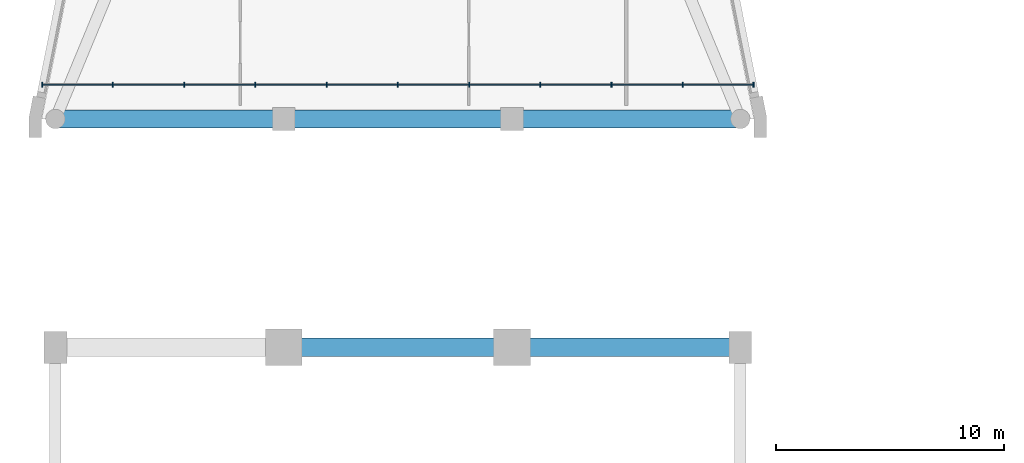
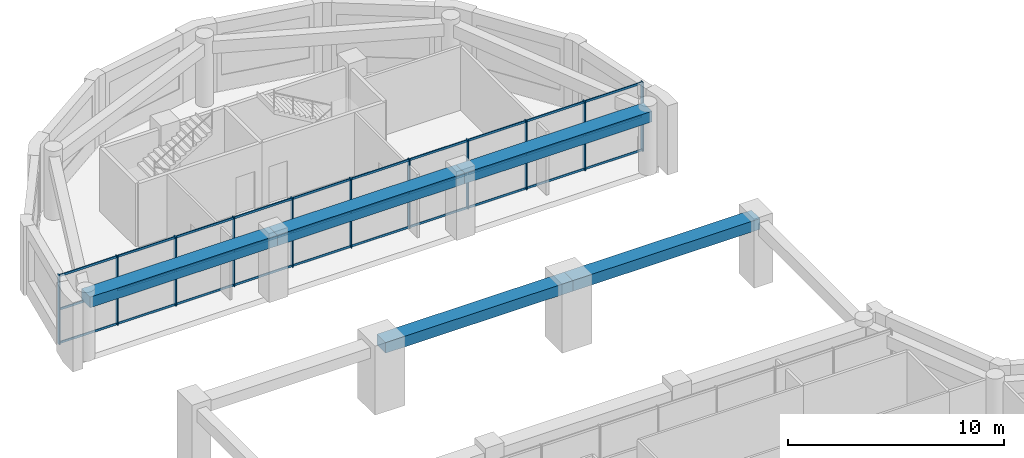
# One storey, part 3 of 11: 41 members, 5 beams, 1 element without a shape of its own.
"""IFC4 building model written with IfcOpenShell, lengths in metres."""

from ifc_helpers import new_model, si_unit, direction, frame, origin, origin_2d, place, context, subcontext, project, spatial, rectangle, extrude, material, layer, layer_set, material_profile, profile_set, type_object, element, aggregate, save


model = new_model("IFC4")

# Units and contexts
model_context = context("Model", 3, precision=1e-05, world=origin(), true_north=direction((0.0, 1.0)))
body_context = subcontext(model_context, "Body", "Model", "MODEL_VIEW")
ifc_project = project(units=[si_unit("LENGTHUNIT", "METRE"), si_unit("AREAUNIT", "SQUARE_METRE"), si_unit("VOLUMEUNIT", "CUBIC_METRE"), si_unit("PLANEANGLEUNIT", "RADIAN"), si_unit("MASSUNIT", "GRAM", prefix="KILO")], contexts=[model_context])

# Site, building, storey
site_placement = place(None, origin())
site = spatial("IfcSite", under=ifc_project, at=site_placement, CompositionType="ELEMENT")
building_placement = place(site_placement, origin())
building = spatial("IfcBuilding", under=site, at=building_placement, Name="Qaws Garden Tower", CompositionType="ELEMENT")
storey_placement = place(building_placement, frame((0.0, 0.0, 325.5)))
storey = spatial("IfcBuildingStorey", under=building, at=storey_placement, Name="L79", CompositionType="ELEMENT", Elevation=325.5)

# Curtain wall, members
ifc_material_1 = material(Name="Anodised aluminium curtain wall frame", Category="aluminium")
ifc_layer = layer(ifc_material_1, 0.159912109375)
ifc_layer_set = layer_set([ifc_layer], Name="Anodised aluminium curtain wall frame")
curtain_wall_type = type_object("IfcCurtainWallType", Name="CW5 portal screen curtain wall", PredefinedType="NOTDEFINED", material=ifc_layer_set)
curtain_wall_placement = place(storey_placement, origin())
curtain_wall = element("IfcCurtainWall", 1, at=curtain_wall_placement, inside=storey, type_object=curtain_wall_type, Name="CW5 Portal screen 1", PredefinedType="NOTDEFINED")
ifc_material_2 = material(Name="Anodised aluminium curtain wall frame", Category="aluminium")
ifc_material_profile_1 = material_profile(ifc_material_2, rectangle(XDim=0.199951171875, YDim=0.050048828125, at=origin_2d()), Name="AL 50x200")
ifc_profile_set_1 = profile_set([ifc_material_profile_1], Name="Anodised aluminium curtain wall frame")
member_type_1 = type_object("IfcMemberType", Name="CW5 mullion 50 x 200", PredefinedType="MULLION", material=ifc_profile_set_1)
member_1_placement = place(storey_placement, frame((-0.574951171875, 61.5, 0.0), z_axis=(0.0, 0.0, 1.0), x_axis=(0.0, 1.0, 0.0)))
member_1 = element("IfcMember", 2, at=member_1_placement, type_object=member_type_1, Name="CW5 mullion 1", PredefinedType="MULLION", context=body_context, shape_type="SweptSolid", body=[
    extrude(rectangle(XDim=0.199951171875, YDim=0.050048828125, at=origin_2d()), origin(), (0.0, 0.0, 1.0), 3.89990234375),
])
member_2_placement = place(storey_placement, frame((2.52001953125, 61.5, 0.0), z_axis=(0.0, 0.0, 1.0), x_axis=(0.0, 1.0, 0.0)))
member_2 = element("IfcMember", 3, at=member_2_placement, type_object=member_type_1, Name="CW5 mullion 2", PredefinedType="MULLION", context=body_context, shape_type="SweptSolid", body=[
    extrude(rectangle(XDim=0.199951171875, YDim=0.050048828125, at=origin_2d()), origin(), (0.0, 0.0, 1.0), 3.89990234375),
])
member_3_placement = place(storey_placement, frame((5.639892578125, 61.5, 0.0), z_axis=(0.0, 0.0, 1.0), x_axis=(0.0, 1.0, 0.0)))
member_3 = element("IfcMember", 4, at=member_3_placement, type_object=member_type_1, Name="CW5 mullion 3", PredefinedType="MULLION", context=body_context, shape_type="SweptSolid", body=[
    extrude(rectangle(XDim=0.199951171875, YDim=0.050048828125, at=origin_2d()), origin(), (0.0, 0.0, 1.0), 3.89990234375),
])
member_4_placement = place(storey_placement, frame((8.760009765625, 61.5, 0.0), z_axis=(0.0, 0.0, 1.0), x_axis=(0.0, 1.0, 0.0)))
member_4 = element("IfcMember", 5, at=member_4_placement, type_object=member_type_1, Name="CW5 mullion 4", PredefinedType="MULLION", context=body_context, shape_type="SweptSolid", body=[
    extrude(rectangle(XDim=0.199951171875, YDim=0.050048828125, at=origin_2d()), origin(), (0.0, 0.0, 1.0), 3.89990234375),
])
member_5_placement = place(storey_placement, frame((11.8798828125, 61.5, 0.0), z_axis=(0.0, 0.0, 1.0), x_axis=(0.0, 1.0, 0.0)))
member_5 = element("IfcMember", 6, at=member_5_placement, type_object=member_type_1, Name="CW5 mullion 5", PredefinedType="MULLION", context=body_context, shape_type="SweptSolid", body=[
    extrude(rectangle(XDim=0.199951171875, YDim=0.050048828125, at=origin_2d()), origin(), (0.0, 0.0, 1.0), 3.89990234375),
])
member_6_placement = place(storey_placement, frame((15.0, 61.5, 0.0), z_axis=(0.0, 0.0, 1.0), x_axis=(0.0, 1.0, 0.0)))
member_6 = element("IfcMember", 7, at=member_6_placement, type_object=member_type_1, Name="CW5 mullion 6", PredefinedType="MULLION", context=body_context, shape_type="SweptSolid", body=[
    extrude(rectangle(XDim=0.199951171875, YDim=0.050048828125, at=origin_2d()), origin(), (0.0, 0.0, 1.0), 3.89990234375),
])
member_7_placement = place(storey_placement, frame((18.1201171875, 61.5, 0.0), z_axis=(0.0, 0.0, 1.0), x_axis=(0.0, 1.0, 0.0)))
member_7 = element("IfcMember", 8, at=member_7_placement, type_object=member_type_1, Name="CW5 mullion 7", PredefinedType="MULLION", context=body_context, shape_type="SweptSolid", body=[
    extrude(rectangle(XDim=0.199951171875, YDim=0.050048828125, at=origin_2d()), origin(), (0.0, 0.0, 1.0), 3.89990234375),
])
member_8_placement = place(storey_placement, frame((21.239990234375, 61.5, 0.0), z_axis=(0.0, 0.0, 1.0), x_axis=(0.0, 1.0, 0.0)))
member_8 = element("IfcMember", 9, at=member_8_placement, type_object=member_type_1, Name="CW5 mullion 8", PredefinedType="MULLION", context=body_context, shape_type="SweptSolid", body=[
    extrude(rectangle(XDim=0.199951171875, YDim=0.050048828125, at=origin_2d()), origin(), (0.0, 0.0, 1.0), 3.89990234375),
])
member_9_placement = place(storey_placement, frame((24.360107421875, 61.5, 0.0), z_axis=(0.0, 0.0, 1.0), x_axis=(0.0, 1.0, 0.0)))
member_9 = element("IfcMember", 10, at=member_9_placement, type_object=member_type_1, Name="CW5 mullion 9", PredefinedType="MULLION", context=body_context, shape_type="SweptSolid", body=[
    extrude(rectangle(XDim=0.199951171875, YDim=0.050048828125, at=origin_2d()), origin(), (0.0, 0.0, 1.0), 3.89990234375),
])
member_10_placement = place(storey_placement, frame((27.47998046875, 61.5, 0.0), z_axis=(0.0, 0.0, 1.0), x_axis=(0.0, 1.0, 0.0)))
member_10 = element("IfcMember", 11, at=member_10_placement, type_object=member_type_1, Name="CW5 mullion 10", PredefinedType="MULLION", context=body_context, shape_type="SweptSolid", body=[
    extrude(rectangle(XDim=0.199951171875, YDim=0.050048828125, at=origin_2d()), origin(), (0.0, 0.0, 1.0), 3.89990234375),
])
member_11_placement = place(storey_placement, frame((30.574951171875, 61.5, 0.0), z_axis=(0.0, 0.0, 1.0), x_axis=(0.0, 1.0, 0.0)))
member_11 = element("IfcMember", 12, at=member_11_placement, type_object=member_type_1, Name="CW5 mullion 11", PredefinedType="MULLION", context=body_context, shape_type="SweptSolid", body=[
    extrude(rectangle(XDim=0.199951171875, YDim=0.050048828125, at=origin_2d()), origin(), (0.0, 0.0, 1.0), 3.89990234375),
])
ifc_material_3 = material(Name="Anodised aluminium curtain wall frame", Category="aluminium")
ifc_material_profile_2 = material_profile(ifc_material_3, rectangle(XDim=0.050048828125, YDim=0.1201171875, at=origin_2d()), Name="AL 50x120")
ifc_profile_set_2 = profile_set([ifc_material_profile_2], Name="Anodised aluminium curtain wall frame")
member_type_2 = type_object("IfcMemberType", Name="CW5 transom 120 x 50", PredefinedType="USERDEFINED", material=ifc_profile_set_2)
member_12_placement = place(storey_placement, frame((-0.550048828125, 61.5, 0.06005859375), z_axis=(1.0, 0.0, 0.0), x_axis=(0.0, 1.0, 0.0)))
member_12 = element("IfcMember", 13, at=member_12_placement, type_object=member_type_2, Name="CW5 transom 1.1", ObjectType="TRANSOM", PredefinedType="USERDEFINED", context=body_context, shape_type="SweptSolid", body=[
    extrude(rectangle(XDim=0.050048828125, YDim=0.1201171875, at=origin_2d()), origin(), (0.0, 0.0, 1.0), 3.045166015625),
])
member_13_placement = place(storey_placement, frame((-0.550048828125, 61.5, 1.949951171875), z_axis=(1.0, 0.0, 0.0), x_axis=(0.0, 1.0, 0.0)))
member_13 = element("IfcMember", 14, at=member_13_placement, type_object=member_type_2, Name="CW5 transom 1.2", ObjectType="TRANSOM", PredefinedType="USERDEFINED", context=body_context, shape_type="SweptSolid", body=[
    extrude(rectangle(XDim=0.050048828125, YDim=0.1201171875, at=origin_2d()), origin(), (0.0, 0.0, 1.0), 3.045166015625),
])
member_14_placement = place(storey_placement, frame((-0.550048828125, 61.5, 3.840087890625), z_axis=(1.0, 0.0, 0.0), x_axis=(0.0, 1.0, 0.0)))
member_14 = element("IfcMember", 15, at=member_14_placement, type_object=member_type_2, Name="CW5 transom 1.3", ObjectType="TRANSOM", PredefinedType="USERDEFINED", context=body_context, shape_type="SweptSolid", body=[
    extrude(rectangle(XDim=0.050048828125, YDim=0.1201171875, at=origin_2d()), origin(), (0.0, 0.0, 1.0), 3.045166015625),
])
member_15_placement = place(storey_placement, frame((2.544921875, 61.5, 0.06005859375), z_axis=(1.0, 0.0, 0.0), x_axis=(0.0, 1.0, 0.0)))
member_15 = element("IfcMember", 16, at=member_15_placement, type_object=member_type_2, Name="CW5 transom 2.1", ObjectType="TRANSOM", PredefinedType="USERDEFINED", context=body_context, shape_type="SweptSolid", body=[
    extrude(rectangle(XDim=0.050048828125, YDim=0.1201171875, at=origin_2d()), origin(), (0.0, 0.0, 1.0), 3.070068359375),
])
member_16_placement = place(storey_placement, frame((2.544921875, 61.5, 1.949951171875), z_axis=(1.0, 0.0, 0.0), x_axis=(0.0, 1.0, 0.0)))
member_16 = element("IfcMember", 17, at=member_16_placement, type_object=member_type_2, Name="CW5 transom 2.2", ObjectType="TRANSOM", PredefinedType="USERDEFINED", context=body_context, shape_type="SweptSolid", body=[
    extrude(rectangle(XDim=0.050048828125, YDim=0.1201171875, at=origin_2d()), origin(), (0.0, 0.0, 1.0), 3.070068359375),
])
member_17_placement = place(storey_placement, frame((2.544921875, 61.5, 3.840087890625), z_axis=(1.0, 0.0, 0.0), x_axis=(0.0, 1.0, 0.0)))
member_17 = element("IfcMember", 18, at=member_17_placement, type_object=member_type_2, Name="CW5 transom 2.3", ObjectType="TRANSOM", PredefinedType="USERDEFINED", context=body_context, shape_type="SweptSolid", body=[
    extrude(rectangle(XDim=0.050048828125, YDim=0.1201171875, at=origin_2d()), origin(), (0.0, 0.0, 1.0), 3.070068359375),
])
member_18_placement = place(storey_placement, frame((5.6650390625, 61.5, 0.06005859375), z_axis=(1.0, 0.0, 0.0), x_axis=(0.0, 1.0, 0.0)))
member_18 = element("IfcMember", 19, at=member_18_placement, type_object=member_type_2, Name="CW5 transom 3.1", ObjectType="TRANSOM", PredefinedType="USERDEFINED", context=body_context, shape_type="SweptSolid", body=[
    extrude(rectangle(XDim=0.050048828125, YDim=0.1201171875, at=origin_2d()), origin(), (0.0, 0.0, 1.0), 3.070068359375),
])
member_19_placement = place(storey_placement, frame((5.6650390625, 61.5, 1.949951171875), z_axis=(1.0, 0.0, 0.0), x_axis=(0.0, 1.0, 0.0)))
member_19 = element("IfcMember", 20, at=member_19_placement, type_object=member_type_2, Name="CW5 transom 3.2", ObjectType="TRANSOM", PredefinedType="USERDEFINED", context=body_context, shape_type="SweptSolid", body=[
    extrude(rectangle(XDim=0.050048828125, YDim=0.1201171875, at=origin_2d()), origin(), (0.0, 0.0, 1.0), 3.070068359375),
])
member_20_placement = place(storey_placement, frame((5.6650390625, 61.5, 3.840087890625), z_axis=(1.0, 0.0, 0.0), x_axis=(0.0, 1.0, 0.0)))
member_20 = element("IfcMember", 21, at=member_20_placement, type_object=member_type_2, Name="CW5 transom 3.3", ObjectType="TRANSOM", PredefinedType="USERDEFINED", context=body_context, shape_type="SweptSolid", body=[
    extrude(rectangle(XDim=0.050048828125, YDim=0.1201171875, at=origin_2d()), origin(), (0.0, 0.0, 1.0), 3.070068359375),
])
member_21_placement = place(storey_placement, frame((8.784912109375, 61.5, 0.06005859375), z_axis=(1.0, 0.0, 0.0), x_axis=(0.0, 1.0, 0.0)))
member_21 = element("IfcMember", 22, at=member_21_placement, type_object=member_type_2, Name="CW5 transom 4.1", ObjectType="TRANSOM", PredefinedType="USERDEFINED", context=body_context, shape_type="SweptSolid", body=[
    extrude(rectangle(XDim=0.050048828125, YDim=0.1201171875, at=origin_2d()), origin(), (0.0, 0.0, 1.0), 3.070068359375),
])
member_22_placement = place(storey_placement, frame((8.784912109375, 61.5, 1.949951171875), z_axis=(1.0, 0.0, 0.0), x_axis=(0.0, 1.0, 0.0)))
member_22 = element("IfcMember", 23, at=member_22_placement, type_object=member_type_2, Name="CW5 transom 4.2", ObjectType="TRANSOM", PredefinedType="USERDEFINED", context=body_context, shape_type="SweptSolid", body=[
    extrude(rectangle(XDim=0.050048828125, YDim=0.1201171875, at=origin_2d()), origin(), (0.0, 0.0, 1.0), 3.070068359375),
])
member_23_placement = place(storey_placement, frame((8.784912109375, 61.5, 3.840087890625), z_axis=(1.0, 0.0, 0.0), x_axis=(0.0, 1.0, 0.0)))
member_23 = element("IfcMember", 24, at=member_23_placement, type_object=member_type_2, Name="CW5 transom 4.3", ObjectType="TRANSOM", PredefinedType="USERDEFINED", context=body_context, shape_type="SweptSolid", body=[
    extrude(rectangle(XDim=0.050048828125, YDim=0.1201171875, at=origin_2d()), origin(), (0.0, 0.0, 1.0), 3.070068359375),
])
member_24_placement = place(storey_placement, frame((11.905029296875, 61.5, 0.06005859375), z_axis=(1.0, 0.0, 0.0), x_axis=(0.0, 1.0, 0.0)))
member_24 = element("IfcMember", 25, at=member_24_placement, type_object=member_type_2, Name="CW5 transom 5.1", ObjectType="TRANSOM", PredefinedType="USERDEFINED", context=body_context, shape_type="SweptSolid", body=[
    extrude(rectangle(XDim=0.050048828125, YDim=0.1201171875, at=origin_2d()), origin(), (0.0, 0.0, 1.0), 3.070068359375),
])
member_25_placement = place(storey_placement, frame((11.905029296875, 61.5, 1.949951171875), z_axis=(1.0, 0.0, 0.0), x_axis=(0.0, 1.0, 0.0)))
member_25 = element("IfcMember", 26, at=member_25_placement, type_object=member_type_2, Name="CW5 transom 5.2", ObjectType="TRANSOM", PredefinedType="USERDEFINED", context=body_context, shape_type="SweptSolid", body=[
    extrude(rectangle(XDim=0.050048828125, YDim=0.1201171875, at=origin_2d()), origin(), (0.0, 0.0, 1.0), 3.070068359375),
])
member_26_placement = place(storey_placement, frame((11.905029296875, 61.5, 3.840087890625), z_axis=(1.0, 0.0, 0.0), x_axis=(0.0, 1.0, 0.0)))
member_26 = element("IfcMember", 27, at=member_26_placement, type_object=member_type_2, Name="CW5 transom 5.3", ObjectType="TRANSOM", PredefinedType="USERDEFINED", context=body_context, shape_type="SweptSolid", body=[
    extrude(rectangle(XDim=0.050048828125, YDim=0.1201171875, at=origin_2d()), origin(), (0.0, 0.0, 1.0), 3.070068359375),
])
member_27_placement = place(storey_placement, frame((15.02490234375, 61.5, 0.06005859375), z_axis=(1.0, 0.0, 0.0), x_axis=(0.0, 1.0, 0.0)))
member_27 = element("IfcMember", 28, at=member_27_placement, type_object=member_type_2, Name="CW5 transom 6.1", ObjectType="TRANSOM", PredefinedType="USERDEFINED", context=body_context, shape_type="SweptSolid", body=[
    extrude(rectangle(XDim=0.050048828125, YDim=0.1201171875, at=origin_2d()), origin(), (0.0, 0.0, 1.0), 3.070068359375),
])
member_28_placement = place(storey_placement, frame((15.02490234375, 61.5, 1.949951171875), z_axis=(1.0, 0.0, 0.0), x_axis=(0.0, 1.0, 0.0)))
member_28 = element("IfcMember", 29, at=member_28_placement, type_object=member_type_2, Name="CW5 transom 6.2", ObjectType="TRANSOM", PredefinedType="USERDEFINED", context=body_context, shape_type="SweptSolid", body=[
    extrude(rectangle(XDim=0.050048828125, YDim=0.1201171875, at=origin_2d()), origin(), (0.0, 0.0, 1.0), 3.070068359375),
])
member_29_placement = place(storey_placement, frame((15.02490234375, 61.5, 3.840087890625), z_axis=(1.0, 0.0, 0.0), x_axis=(0.0, 1.0, 0.0)))
member_29 = element("IfcMember", 30, at=member_29_placement, type_object=member_type_2, Name="CW5 transom 6.3", ObjectType="TRANSOM", PredefinedType="USERDEFINED", context=body_context, shape_type="SweptSolid", body=[
    extrude(rectangle(XDim=0.050048828125, YDim=0.1201171875, at=origin_2d()), origin(), (0.0, 0.0, 1.0), 3.070068359375),
])
member_30_placement = place(storey_placement, frame((18.14501953125, 61.5, 0.06005859375), z_axis=(1.0, 0.0, 0.0), x_axis=(0.0, 1.0, 0.0)))
member_30 = element("IfcMember", 31, at=member_30_placement, type_object=member_type_2, Name="CW5 transom 7.1", ObjectType="TRANSOM", PredefinedType="USERDEFINED", context=body_context, shape_type="SweptSolid", body=[
    extrude(rectangle(XDim=0.050048828125, YDim=0.1201171875, at=origin_2d()), origin(), (0.0, 0.0, 1.0), 3.070068359375),
])
member_31_placement = place(storey_placement, frame((18.14501953125, 61.5, 1.949951171875), z_axis=(1.0, 0.0, 0.0), x_axis=(0.0, 1.0, 0.0)))
member_31 = element("IfcMember", 32, at=member_31_placement, type_object=member_type_2, Name="CW5 transom 7.2", ObjectType="TRANSOM", PredefinedType="USERDEFINED", context=body_context, shape_type="SweptSolid", body=[
    extrude(rectangle(XDim=0.050048828125, YDim=0.1201171875, at=origin_2d()), origin(), (0.0, 0.0, 1.0), 3.070068359375),
])
member_32_placement = place(storey_placement, frame((18.14501953125, 61.5, 3.840087890625), z_axis=(1.0, 0.0, 0.0), x_axis=(0.0, 1.0, 0.0)))
member_32 = element("IfcMember", 33, at=member_32_placement, type_object=member_type_2, Name="CW5 transom 7.3", ObjectType="TRANSOM", PredefinedType="USERDEFINED", context=body_context, shape_type="SweptSolid", body=[
    extrude(rectangle(XDim=0.050048828125, YDim=0.1201171875, at=origin_2d()), origin(), (0.0, 0.0, 1.0), 3.070068359375),
])
member_33_placement = place(storey_placement, frame((21.264892578125, 61.5, 0.06005859375), z_axis=(1.0, 0.0, 0.0), x_axis=(0.0, 1.0, 0.0)))
member_33 = element("IfcMember", 34, at=member_33_placement, type_object=member_type_2, Name="CW5 transom 8.1", ObjectType="TRANSOM", PredefinedType="USERDEFINED", context=body_context, shape_type="SweptSolid", body=[
    extrude(rectangle(XDim=0.050048828125, YDim=0.1201171875, at=origin_2d()), origin(), (0.0, 0.0, 1.0), 3.070068359375),
])
member_34_placement = place(storey_placement, frame((21.264892578125, 61.5, 1.949951171875), z_axis=(1.0, 0.0, 0.0), x_axis=(0.0, 1.0, 0.0)))
member_34 = element("IfcMember", 35, at=member_34_placement, type_object=member_type_2, Name="CW5 transom 8.2", ObjectType="TRANSOM", PredefinedType="USERDEFINED", context=body_context, shape_type="SweptSolid", body=[
    extrude(rectangle(XDim=0.050048828125, YDim=0.1201171875, at=origin_2d()), origin(), (0.0, 0.0, 1.0), 3.070068359375),
])
member_35_placement = place(storey_placement, frame((21.264892578125, 61.5, 3.840087890625), z_axis=(1.0, 0.0, 0.0), x_axis=(0.0, 1.0, 0.0)))
member_35 = element("IfcMember", 36, at=member_35_placement, type_object=member_type_2, Name="CW5 transom 8.3", ObjectType="TRANSOM", PredefinedType="USERDEFINED", context=body_context, shape_type="SweptSolid", body=[
    extrude(rectangle(XDim=0.050048828125, YDim=0.1201171875, at=origin_2d()), origin(), (0.0, 0.0, 1.0), 3.070068359375),
])
member_36_placement = place(storey_placement, frame((24.385009765625, 61.5, 0.06005859375), z_axis=(1.0, 0.0, 0.0), x_axis=(0.0, 1.0, 0.0)))
member_36 = element("IfcMember", 37, at=member_36_placement, type_object=member_type_2, Name="CW5 transom 9.1", ObjectType="TRANSOM", PredefinedType="USERDEFINED", context=body_context, shape_type="SweptSolid", body=[
    extrude(rectangle(XDim=0.050048828125, YDim=0.1201171875, at=origin_2d()), origin(), (0.0, 0.0, 1.0), 3.070068359375),
])
member_37_placement = place(storey_placement, frame((24.385009765625, 61.5, 1.949951171875), z_axis=(1.0, 0.0, 0.0), x_axis=(0.0, 1.0, 0.0)))
member_37 = element("IfcMember", 38, at=member_37_placement, type_object=member_type_2, Name="CW5 transom 9.2", ObjectType="TRANSOM", PredefinedType="USERDEFINED", context=body_context, shape_type="SweptSolid", body=[
    extrude(rectangle(XDim=0.050048828125, YDim=0.1201171875, at=origin_2d()), origin(), (0.0, 0.0, 1.0), 3.070068359375),
])
member_38_placement = place(storey_placement, frame((24.385009765625, 61.5, 3.840087890625), z_axis=(1.0, 0.0, 0.0), x_axis=(0.0, 1.0, 0.0)))
member_38 = element("IfcMember", 39, at=member_38_placement, type_object=member_type_2, Name="CW5 transom 9.3", ObjectType="TRANSOM", PredefinedType="USERDEFINED", context=body_context, shape_type="SweptSolid", body=[
    extrude(rectangle(XDim=0.050048828125, YDim=0.1201171875, at=origin_2d()), origin(), (0.0, 0.0, 1.0), 3.070068359375),
])
member_39_placement = place(storey_placement, frame((27.5048828125, 61.5, 0.06005859375), z_axis=(1.0, 0.0, 0.0), x_axis=(0.0, 1.0, 0.0)))
member_39 = element("IfcMember", 40, at=member_39_placement, type_object=member_type_2, Name="CW5 transom 10.1", ObjectType="TRANSOM", PredefinedType="USERDEFINED", context=body_context, shape_type="SweptSolid", body=[
    extrude(rectangle(XDim=0.050048828125, YDim=0.1201171875, at=origin_2d()), origin(), (0.0, 0.0, 1.0), 3.045166015625),
])
member_40_placement = place(storey_placement, frame((27.5048828125, 61.5, 1.949951171875), z_axis=(1.0, 0.0, 0.0), x_axis=(0.0, 1.0, 0.0)))
member_40 = element("IfcMember", 41, at=member_40_placement, type_object=member_type_2, Name="CW5 transom 10.2", ObjectType="TRANSOM", PredefinedType="USERDEFINED", context=body_context, shape_type="SweptSolid", body=[
    extrude(rectangle(XDim=0.050048828125, YDim=0.1201171875, at=origin_2d()), origin(), (0.0, 0.0, 1.0), 3.045166015625),
])
member_41_placement = place(storey_placement, frame((27.5048828125, 61.5, 3.840087890625), z_axis=(1.0, 0.0, 0.0), x_axis=(0.0, 1.0, 0.0)))
member_41 = element("IfcMember", 42, at=member_41_placement, type_object=member_type_2, Name="CW5 transom 10.3", ObjectType="TRANSOM", PredefinedType="USERDEFINED", context=body_context, shape_type="SweptSolid", body=[
    extrude(rectangle(XDim=0.050048828125, YDim=0.1201171875, at=origin_2d()), origin(), (0.0, 0.0, 1.0), 3.045166015625),
])
aggregate(curtain_wall, [member_1, member_2, member_3, member_4, member_5, member_6, member_7, member_8, member_9, member_10, member_11, member_12, member_13, member_14, member_15, member_16, member_17, member_18, member_19, member_20, member_21, member_22, member_23, member_24, member_25, member_26, member_27, member_28, member_29, member_30, member_31, member_32, member_33, member_34, member_35, member_36, member_37, member_38, member_39, member_40, member_41])

# Beams
ifc_material_4 = material(Name="Concrete C45", Category="concrete")
ifc_material_profile_3 = material_profile(ifc_material_4, rectangle(XDim=0.800048828125, YDim=0.60009765625, at=origin_2d()), Name="RC 800x600")
ifc_profile_set_3 = profile_set([ifc_material_profile_3], Name="Concrete C45")
beam_type = type_object("IfcBeamType", Name="Portal edge beam RC 800x600 C45", PredefinedType="BEAM", material=ifc_profile_set_3)
for number, where, z_axis, x_axis, name in (
    (43, (10.0, 50.0, 3.280029296875), (1.0, 0.0, 0.0), (0.0, 1.0, 0.0), "Portal tie beam L79-5"),
    (44, (20.0, 50.0, 3.280029296875), (1.0, 0.0, 0.0), (0.0, 1.0, 0.0), "Portal tie beam L79-6"),
    (45, (0.0, 60.0, 3.280029296875), (1.0, 0.0, 0.0), (0.0, 1.0, 0.0), "Portal edge beam L79-7"),
    (46, (10.0, 60.0, 3.280029296875), (1.0, 0.0, 0.0), (0.0, 1.0, 0.0), "Portal edge beam L79-8"),
    (47, (20.0, 60.0, 3.280029296875), (1.0, 0.0, 0.0), (0.0, 1.0, 0.0), "Portal edge beam L79-9"),
):
    element("IfcBeam", number, at=place(storey_placement, frame(where, z_axis=z_axis, x_axis=x_axis)), inside=storey, type_object=beam_type, Name=name, PredefinedType="BEAM", context=body_context, shape_type="SweptSolid", body=[
        extrude(rectangle(XDim=0.800048828125, YDim=0.60009765625, at=origin_2d()), origin(), (0.0, 0.0, 1.0), 10.0),
    ])

save(model, "model.ifc")
